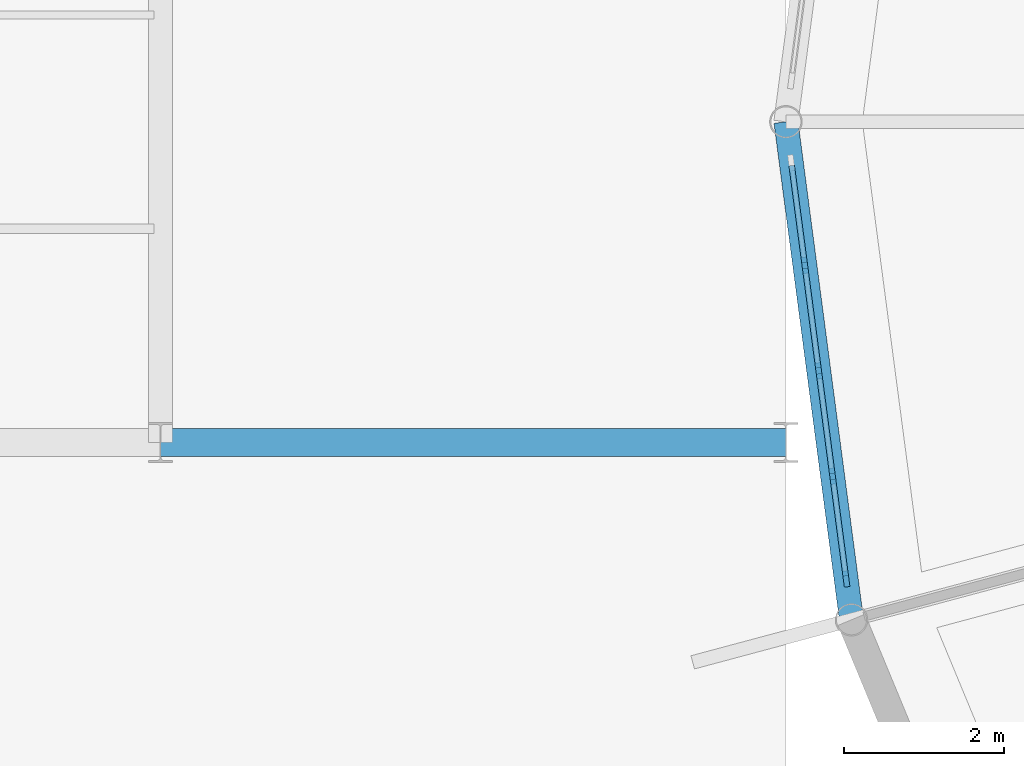
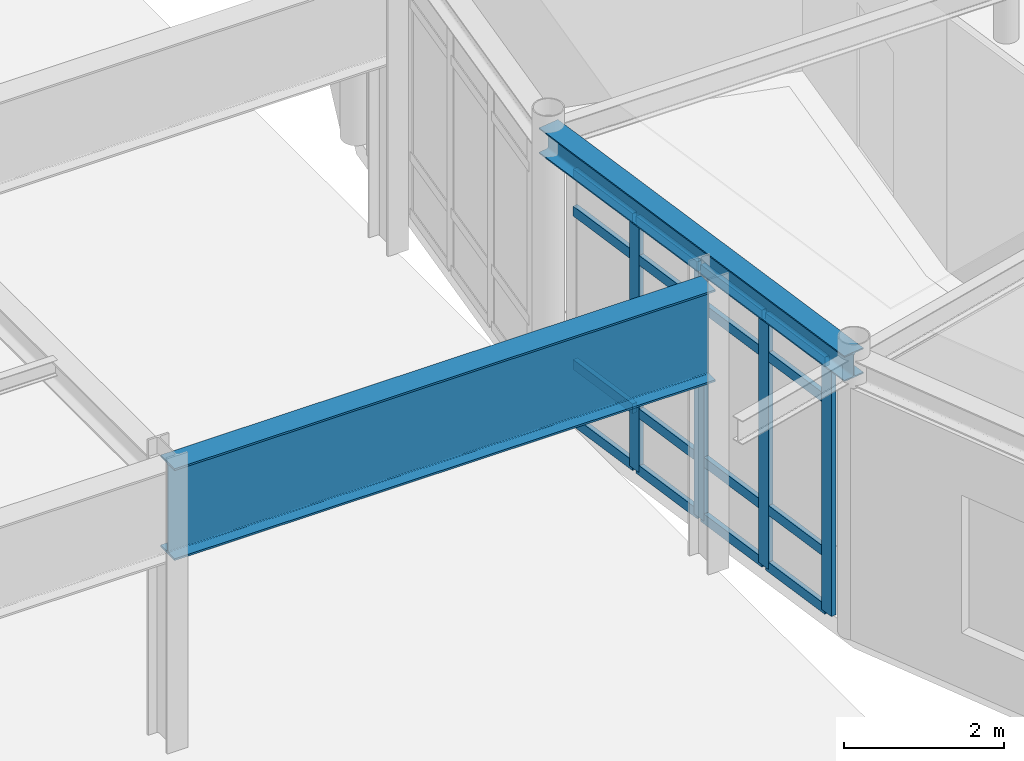
# One storey, part 29 of 101: 20 members, 2 beams, 1 element without a shape of its own.
"""IFC4 building model written with IfcOpenShell, lengths in metres."""

from ifc_helpers import new_model, si_unit, derived_unit, direction, frame, origin, origin_2d, place, context, subcontext, project, spatial, rectangle, i_section, extrude, material, layer, layer_set, material_profile, profile_set, type_object, element, aggregate, save


model = new_model("IFC4")

# Units and contexts
model_context = context("Model", 3, precision=1e-05, world=origin(), true_north=direction((0.0, 1.0)))
body_context = subcontext(model_context, "Body", "Model", "MODEL_VIEW")
ifc_project = project(units=[si_unit("LENGTHUNIT", "METRE"), si_unit("AREAUNIT", "SQUARE_METRE"), si_unit("VOLUMEUNIT", "CUBIC_METRE"), si_unit("PLANEANGLEUNIT", "RADIAN"), si_unit("MASSUNIT", "GRAM", prefix="KILO"), derived_unit("THERMALTRANSMITTANCEUNIT", [(si_unit("POWERUNIT", "WATT"), 1), (si_unit("AREAUNIT", "SQUARE_METRE"), -1), (si_unit("THERMODYNAMICTEMPERATUREUNIT", "KELVIN"), -1)])], contexts=[model_context])

# Site, building, storey
site_placement = place(None, origin())
site = spatial("IfcSite", under=ifc_project, at=site_placement, CompositionType="ELEMENT")
building_placement = place(site_placement, origin())
building = spatial("IfcBuilding", under=site, at=building_placement, Name="Yasenodar Specialist Clinic", CompositionType="ELEMENT")
storey_placement = place(building_placement, origin())
storey = spatial("IfcBuildingStorey", under=building, at=storey_placement, Name="L00", CompositionType="ELEMENT", Elevation=0.0)

# Beams
ifc_material_1 = material(Name="Steel S355", Category="steel")
ifc_material_profile_1 = material_profile(ifc_material_1, i_section(OverallWidth=0.300048828125, OverallDepth=0.389892578125, WebThickness=0.010986328125, FlangeThickness=0.01904296875, FilletRadius=0.027099609375, at=origin_2d()), Name="HEA 400")
ifc_profile_set_1 = profile_set([ifc_material_profile_1], Name="Steel S355")
beam_type_1 = type_object("IfcBeamType", Name="BM-HEA400", PredefinedType="BEAM", material=ifc_profile_set_1)
beam_1_placement = place(storey_placement, frame((57.0, 58.800048828125, 4.054931640625), z_axis=(0.130540192224, -0.991443018138, 0.0), x_axis=(0.991443018138, 0.130540192224, 0.0)))
element("IfcBeam", 1, at=beam_1_placement, inside=storey, type_object=beam_type_1, Name="L00 Drum V1 Perimeter Ring Beam", PredefinedType="BEAM", context=body_context, shape_type="SweptSolid", body=[
    extrude(i_section(OverallWidth=0.300048828125, OverallDepth=0.389892578125, WebThickness=0.010986328125, FlangeThickness=0.01904296875, FilletRadius=0.027099609375, at=origin_2d()), origin(), (0.0, 0.0, 1.0), 6.265380859375),
])
ifc_material_profile_2 = material_profile(ifc_material_1, i_section(OverallWidth=0.35009765625, OverallDepth=1.39990234375, WebThickness=0.01611328125, FlangeThickness=0.028076171875, FilletRadius=0.02392578125, at=origin_2d()), Name="PG 1400x350")
ifc_profile_set_2 = profile_set([ifc_material_profile_2], Name="Steel S355")
beam_type_2 = type_object("IfcBeamType", Name="BM-PG-1400", PredefinedType="BEAM", material=ifc_profile_set_2)
beam_2_placement = place(storey_placement, frame((49.199951171875, 54.800048828125, 3.550048828125), z_axis=(1.0, 0.0, 0.0), x_axis=(0.0, 1.0, 0.0)))
element("IfcBeam", 2, at=beam_2_placement, inside=storey, type_object=beam_type_2, Name="L00 Light Bridge Plate Girder", PredefinedType="BEAM", context=body_context, shape_type="SweptSolid", body=[
    extrude(i_section(OverallWidth=0.35009765625, OverallDepth=1.39990234375, WebThickness=0.01611328125, FlangeThickness=0.028076171875, FilletRadius=0.02392578125, at=origin_2d()), origin(), (0.0, 0.0, 1.0), 7.800048828125),
])

# Curtain wall, members
ifc_material_2 = material(Name="Bronze Anodized Aluminium and Triple Low-E Glass", Category="aluminium")
ifc_layer = layer(ifc_material_2, 0.1669921875)
ifc_layer_set = layer_set([ifc_layer], Name="Bronze Anodized Aluminium and Triple Low-E Glass")
curtain_wall_type = type_object("IfcCurtainWallType", Name="CW-SYS-01", PredefinedType="USERDEFINED", material=ifc_layer_set)
curtain_wall_placement = place(storey_placement, origin())
curtain_wall = element("IfcCurtainWall", 3, at=curtain_wall_placement, inside=storey, type_object=curtain_wall_type, Name="L00 Unitised Curtain Wall 007", ObjectType="UNITISED CURTAIN WALL", PredefinedType="USERDEFINED")
ifc_material_3 = material(Name="Bronze Anodized Aluminium", Category="aluminium")
ifc_material_profile_3 = material_profile(ifc_material_3, rectangle(XDim=0.070068359375, YDim=0.199951171875, at=origin_2d()), Name="CW-MULL 70x200")
ifc_profile_set_3 = profile_set([ifc_material_profile_3], Name="Bronze Anodized Aluminium")
member_type_1 = type_object("IfcMemberType", Name="CW-MULL-200", PredefinedType="MULLION", material=ifc_profile_set_3)
member_1_placement = place(storey_placement, frame((57.75048828125, 53.098876953125, 0.0), z_axis=(0.0, 0.0, 1.0), x_axis=(-0.991446787601, -0.13051156024, 0.0)))
member_1 = element("IfcMember", 4, at=member_1_placement, type_object=member_type_1, Name="CW-01 mullion 1", PredefinedType="MULLION", context=body_context, shape_type="SweptSolid", body=[
    extrude(rectangle(XDim=0.070068359375, YDim=0.199951171875, at=origin_2d()), origin(), (0.0, 0.0, 1.0), 3.837890625),
])
member_2_placement = place(storey_placement, frame((57.58203125, 54.379150390625, 0.0), z_axis=(0.0, 0.0, 1.0), x_axis=(-0.991446787601, -0.13051156024, 0.0)))
member_2 = element("IfcMember", 5, at=member_2_placement, type_object=member_type_1, Name="CW-01 mullion 2", PredefinedType="MULLION", context=body_context, shape_type="SweptSolid", body=[
    extrude(rectangle(XDim=0.070068359375, YDim=0.199951171875, at=origin_2d()), origin(), (0.0, 0.0, 1.0), 3.837890625),
])
member_3_placement = place(storey_placement, frame((57.408935546875, 55.694091796875, 0.0), z_axis=(0.0, 0.0, 1.0), x_axis=(-0.991446787601, -0.13051156024, 0.0)))
member_3 = element("IfcMember", 6, at=member_3_placement, type_object=member_type_1, Name="CW-01 mullion 3", PredefinedType="MULLION", context=body_context, shape_type="SweptSolid", body=[
    extrude(rectangle(XDim=0.070068359375, YDim=0.199951171875, at=origin_2d()), origin(), (0.0, 0.0, 1.0), 3.837890625),
])
member_4_placement = place(storey_placement, frame((57.23583984375, 57.009033203125, 0.0), z_axis=(0.0, 0.0, 1.0), x_axis=(-0.991446787601, -0.13051156024, 0.0)))
member_4 = element("IfcMember", 7, at=member_4_placement, type_object=member_type_1, Name="CW-01 mullion 4", PredefinedType="MULLION", context=body_context, shape_type="SweptSolid", body=[
    extrude(rectangle(XDim=0.070068359375, YDim=0.199951171875, at=origin_2d()), origin(), (0.0, 0.0, 1.0), 3.837890625),
])
ifc_material_profile_4 = material_profile(ifc_material_3, rectangle(XDim=0.070068359375, YDim=0.14990234375, at=origin_2d()), Name="CW-TRAN 70x150")
ifc_profile_set_4 = profile_set([ifc_material_profile_4], Name="Bronze Anodized Aluminium")
member_type_2 = type_object("IfcMemberType", Name="CW-TRAN-150", PredefinedType="USERDEFINED", material=ifc_profile_set_4)
member_5_placement = place(storey_placement, frame((57.745849609375, 53.133544921875, 0.034912109375), z_axis=(-0.130330411712, 0.991470616702, 0.0), x_axis=(-0.991470616702, -0.130330411712, 0.0)))
member_5 = element("IfcMember", 8, at=member_5_placement, type_object=member_type_2, Name="CW-01 transom 1.1", ObjectType="TRANSOM", PredefinedType="USERDEFINED", context=body_context, shape_type="SweptSolid", body=[
    extrude(rectangle(XDim=0.070068359375, YDim=0.14990234375, at=origin_2d()), origin(), (0.0, 0.0, 1.0), 1.221435546875),
])
member_6_placement = place(storey_placement, frame((57.745849609375, 53.133544921875, 0.89990234375), z_axis=(-0.130330411712, 0.991470616702, 0.0), x_axis=(-0.991470616702, -0.130330411712, 0.0)))
member_6 = element("IfcMember", 9, at=member_6_placement, type_object=member_type_2, Name="CW-01 transom 1.2", ObjectType="TRANSOM", PredefinedType="USERDEFINED", context=body_context, shape_type="SweptSolid", body=[
    extrude(rectangle(XDim=0.070068359375, YDim=0.14990234375, at=origin_2d()), origin(), (0.0, 0.0, 1.0), 1.221435546875),
])
member_7_placement = place(storey_placement, frame((57.745849609375, 53.133544921875, 3.238037109375), z_axis=(-0.130330411712, 0.991470616702, 0.0), x_axis=(-0.991470616702, -0.130330411712, 0.0)))
member_7 = element("IfcMember", 10, at=member_7_placement, type_object=member_type_2, Name="CW-01 transom 1.3", ObjectType="TRANSOM", PredefinedType="USERDEFINED", context=body_context, shape_type="SweptSolid", body=[
    extrude(rectangle(XDim=0.070068359375, YDim=0.14990234375, at=origin_2d()), origin(), (0.0, 0.0, 1.0), 1.221435546875),
])
member_8_placement = place(storey_placement, frame((57.745849609375, 53.133544921875, 3.802978515625), z_axis=(-0.130330411712, 0.991470616702, 0.0), x_axis=(-0.991470616702, -0.130330411712, 0.0)))
member_8 = element("IfcMember", 11, at=member_8_placement, type_object=member_type_2, Name="CW-01 transom 1.4", ObjectType="TRANSOM", PredefinedType="USERDEFINED", context=body_context, shape_type="SweptSolid", body=[
    extrude(rectangle(XDim=0.070068359375, YDim=0.14990234375, at=origin_2d()), origin(), (0.0, 0.0, 1.0), 1.221435546875),
])
member_9_placement = place(storey_placement, frame((57.577392578125, 54.413818359375, 0.034912109375), z_axis=(-0.130394189908, 0.991462230868, 0.0), x_axis=(-0.991462230868, -0.130394189908, 0.0)))
member_9 = element("IfcMember", 12, at=member_9_placement, type_object=member_type_2, Name="CW-01 transom 2.1", ObjectType="TRANSOM", PredefinedType="USERDEFINED", context=body_context, shape_type="SweptSolid", body=[
    extrude(rectangle(XDim=0.070068359375, YDim=0.14990234375, at=origin_2d()), origin(), (0.0, 0.0, 1.0), 1.25634765625),
])
member_10_placement = place(storey_placement, frame((57.577392578125, 54.413818359375, 0.89990234375), z_axis=(-0.130394189908, 0.991462230868, 0.0), x_axis=(-0.991462230868, -0.130394189908, 0.0)))
member_10 = element("IfcMember", 13, at=member_10_placement, type_object=member_type_2, Name="CW-01 transom 2.2", ObjectType="TRANSOM", PredefinedType="USERDEFINED", context=body_context, shape_type="SweptSolid", body=[
    extrude(rectangle(XDim=0.070068359375, YDim=0.14990234375, at=origin_2d()), origin(), (0.0, 0.0, 1.0), 1.25634765625),
])
member_11_placement = place(storey_placement, frame((57.577392578125, 54.413818359375, 3.238037109375), z_axis=(-0.130394189908, 0.991462230868, 0.0), x_axis=(-0.991462230868, -0.130394189908, 0.0)))
member_11 = element("IfcMember", 14, at=member_11_placement, type_object=member_type_2, Name="CW-01 transom 2.3", ObjectType="TRANSOM", PredefinedType="USERDEFINED", context=body_context, shape_type="SweptSolid", body=[
    extrude(rectangle(XDim=0.070068359375, YDim=0.14990234375, at=origin_2d()), origin(), (0.0, 0.0, 1.0), 1.25634765625),
])
member_12_placement = place(storey_placement, frame((57.577392578125, 54.413818359375, 3.802978515625), z_axis=(-0.130394189908, 0.991462230868, 0.0), x_axis=(-0.991462230868, -0.130394189908, 0.0)))
member_12 = element("IfcMember", 15, at=member_12_placement, type_object=member_type_2, Name="CW-01 transom 2.4", ObjectType="TRANSOM", PredefinedType="USERDEFINED", context=body_context, shape_type="SweptSolid", body=[
    extrude(rectangle(XDim=0.070068359375, YDim=0.14990234375, at=origin_2d()), origin(), (0.0, 0.0, 1.0), 1.25634765625),
])
member_13_placement = place(storey_placement, frame((57.404296875, 55.728759765625, 0.034912109375), z_axis=(-0.130394189908, 0.991462230868, 0.0), x_axis=(-0.991462230868, -0.130394189908, 0.0)))
member_13 = element("IfcMember", 16, at=member_13_placement, type_object=member_type_2, Name="CW-01 transom 3.1", ObjectType="TRANSOM", PredefinedType="USERDEFINED", context=body_context, shape_type="SweptSolid", body=[
    extrude(rectangle(XDim=0.070068359375, YDim=0.14990234375, at=origin_2d()), origin(), (0.0, 0.0, 1.0), 1.25634765625),
])
member_14_placement = place(storey_placement, frame((57.404296875, 55.728759765625, 0.89990234375), z_axis=(-0.130394189908, 0.991462230868, 0.0), x_axis=(-0.991462230868, -0.130394189908, 0.0)))
member_14 = element("IfcMember", 17, at=member_14_placement, type_object=member_type_2, Name="CW-01 transom 3.2", ObjectType="TRANSOM", PredefinedType="USERDEFINED", context=body_context, shape_type="SweptSolid", body=[
    extrude(rectangle(XDim=0.070068359375, YDim=0.14990234375, at=origin_2d()), origin(), (0.0, 0.0, 1.0), 1.25634765625),
])
member_15_placement = place(storey_placement, frame((57.404296875, 55.728759765625, 3.238037109375), z_axis=(-0.130394189908, 0.991462230868, 0.0), x_axis=(-0.991462230868, -0.130394189908, 0.0)))
member_15 = element("IfcMember", 18, at=member_15_placement, type_object=member_type_2, Name="CW-01 transom 3.3", ObjectType="TRANSOM", PredefinedType="USERDEFINED", context=body_context, shape_type="SweptSolid", body=[
    extrude(rectangle(XDim=0.070068359375, YDim=0.14990234375, at=origin_2d()), origin(), (0.0, 0.0, 1.0), 1.25634765625),
])
member_16_placement = place(storey_placement, frame((57.404296875, 55.728759765625, 3.802978515625), z_axis=(-0.130394189908, 0.991462230868, 0.0), x_axis=(-0.991462230868, -0.130394189908, 0.0)))
member_16 = element("IfcMember", 19, at=member_16_placement, type_object=member_type_2, Name="CW-01 transom 3.4", ObjectType="TRANSOM", PredefinedType="USERDEFINED", context=body_context, shape_type="SweptSolid", body=[
    extrude(rectangle(XDim=0.070068359375, YDim=0.14990234375, at=origin_2d()), origin(), (0.0, 0.0, 1.0), 1.25634765625),
])
member_17_placement = place(storey_placement, frame((57.231201171875, 57.0439453125, 0.034912109375), z_axis=(-0.130552774548, 0.991441361381, 0.0), x_axis=(-0.991441361381, -0.130552774548, 0.0)))
member_17 = element("IfcMember", 20, at=member_17_placement, type_object=member_type_2, Name="CW-01 transom 4.1", ObjectType="TRANSOM", PredefinedType="USERDEFINED", context=body_context, shape_type="SweptSolid", body=[
    extrude(rectangle(XDim=0.070068359375, YDim=0.14990234375, at=origin_2d()), origin(), (0.0, 0.0, 1.0), 1.22119140625),
])
member_18_placement = place(storey_placement, frame((57.231201171875, 57.0439453125, 0.89990234375), z_axis=(-0.130552774548, 0.991441361381, 0.0), x_axis=(-0.991441361381, -0.130552774548, 0.0)))
member_18 = element("IfcMember", 21, at=member_18_placement, type_object=member_type_2, Name="CW-01 transom 4.2", ObjectType="TRANSOM", PredefinedType="USERDEFINED", context=body_context, shape_type="SweptSolid", body=[
    extrude(rectangle(XDim=0.070068359375, YDim=0.14990234375, at=origin_2d()), origin(), (0.0, 0.0, 1.0), 1.22119140625),
])
member_19_placement = place(storey_placement, frame((57.231201171875, 57.0439453125, 3.238037109375), z_axis=(-0.130552774548, 0.991441361381, 0.0), x_axis=(-0.991441361381, -0.130552774548, 0.0)))
member_19 = element("IfcMember", 22, at=member_19_placement, type_object=member_type_2, Name="CW-01 transom 4.3", ObjectType="TRANSOM", PredefinedType="USERDEFINED", context=body_context, shape_type="SweptSolid", body=[
    extrude(rectangle(XDim=0.070068359375, YDim=0.14990234375, at=origin_2d()), origin(), (0.0, 0.0, 1.0), 1.22119140625),
])
member_20_placement = place(storey_placement, frame((57.231201171875, 57.0439453125, 3.802978515625), z_axis=(-0.130552774548, 0.991441361381, 0.0), x_axis=(-0.991441361381, -0.130552774548, 0.0)))
member_20 = element("IfcMember", 23, at=member_20_placement, type_object=member_type_2, Name="CW-01 transom 4.4", ObjectType="TRANSOM", PredefinedType="USERDEFINED", context=body_context, shape_type="SweptSolid", body=[
    extrude(rectangle(XDim=0.070068359375, YDim=0.14990234375, at=origin_2d()), origin(), (0.0, 0.0, 1.0), 1.22119140625),
])
aggregate(curtain_wall, [member_1, member_2, member_3, member_4, member_5, member_6, member_7, member_8, member_9, member_10, member_11, member_12, member_13, member_14, member_15, member_16, member_17, member_18, member_19, member_20])

save(model, "model.ifc")
